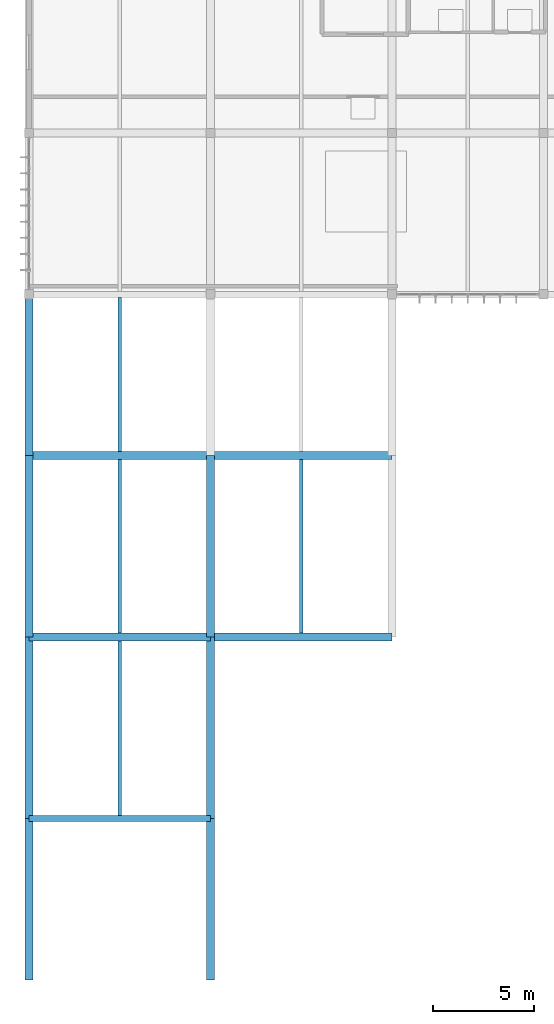
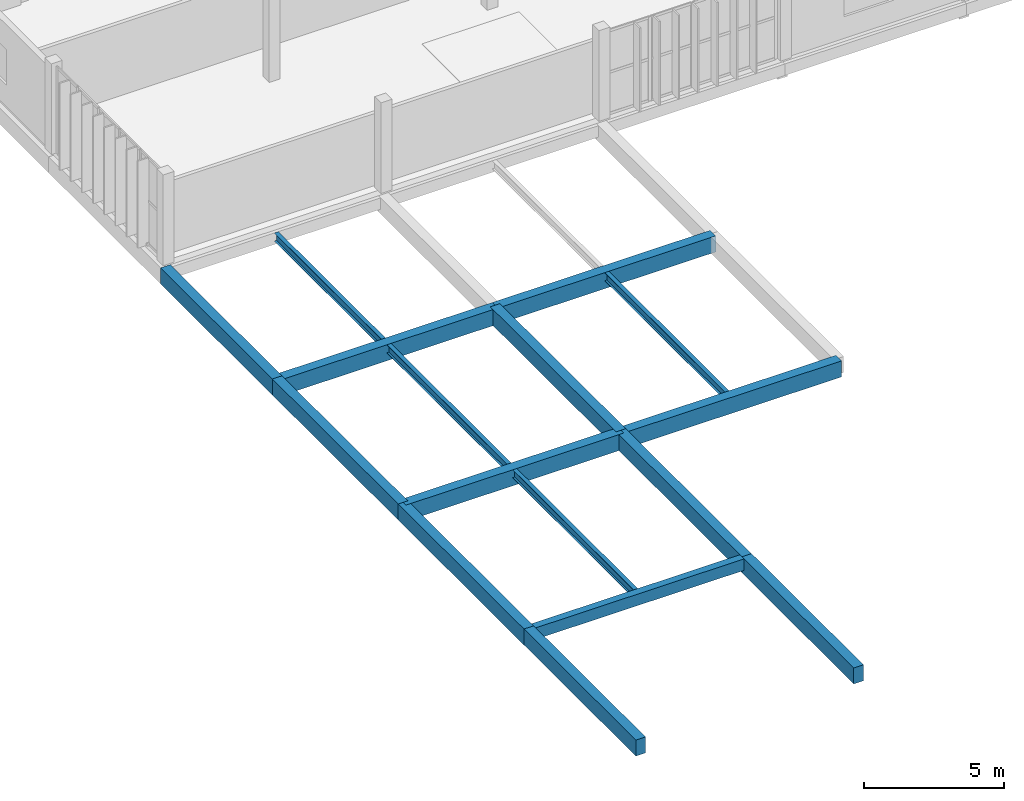
# One storey, part 5 of 26: 16 beams.
"""IFC4 building model written with IfcOpenShell, lengths in metres."""

from ifc_helpers import new_model, si_unit, direction, frame, origin, origin_2d, place, context, subcontext, project, spatial, rectangle, i_section, extrude, material, material_profile, profile_set, type_object, element, save


model = new_model("IFC4")

# Units and contexts
model_context = context("Model", 3, precision=1e-05, world=origin(), true_north=direction((0.0, 1.0)))
body_context = subcontext(model_context, "Body", "Model", "MODEL_VIEW")
ifc_project = project(units=[si_unit("LENGTHUNIT", "METRE"), si_unit("AREAUNIT", "SQUARE_METRE"), si_unit("VOLUMEUNIT", "CUBIC_METRE"), si_unit("PLANEANGLEUNIT", "RADIAN"), si_unit("MASSUNIT", "GRAM", prefix="KILO")], contexts=[model_context])

# Site, building, storey
site_placement = place(None, origin())
site = spatial("IfcSite", under=ifc_project, at=site_placement, CompositionType="ELEMENT")
building_placement = place(site_placement, origin())
building = spatial("IfcBuilding", under=site, at=building_placement, Name="Vourika Railside Aquatics Centre", CompositionType="ELEMENT")
storey_placement = place(building_placement, frame((0.0, 0.0, 17.699951171875)))
storey = spatial("IfcBuildingStorey", under=building, at=storey_placement, Name="L04", CompositionType="ELEMENT", Elevation=17.699951171875)

# Beams
ifc_material_1 = material(Name="Concrete C35/45", Category="concrete")
ifc_material_profile_1 = material_profile(ifc_material_1, rectangle(XDim=0.39990234375, YDim=0.699951171875, at=origin_2d()), Name="RC 400x700")
ifc_profile_set_1 = profile_set([ifc_material_profile_1], Name="Concrete C35/45")
beam_type_1 = type_object("IfcBeamType", Name="BM-GIRD-400x700", PredefinedType="BEAM", material=ifc_profile_set_1)
for number, where, z_axis, x_axis, name in (
    (1, (18.0, 75.0, -0.58984375), (1.0, 0.0, 0.0), (0.0, 1.0, 0.0), "Floor Beam GX-L04-002"),
    (2, (27.0, 75.0, -0.58984375), (1.0, 0.0, 0.0), (0.0, 1.0, 0.0), "Floor Beam GX-L04-003"),
    (3, (18.0, 84.0, -0.58984375), (1.0, 0.0, 0.0), (0.0, 1.0, 0.0), "Floor Beam GX-L04-004"),
    (4, (27.0, 84.0, -0.58984375), (1.0, 0.0, 0.0), (0.0, 1.0, 0.0), "Floor Beam GX-L04-005"),
):
    element("IfcBeam", number, at=place(storey_placement, frame(where, z_axis=z_axis, x_axis=x_axis)), inside=storey, type_object=beam_type_1, Name=name, PredefinedType="BEAM", context=body_context, shape_type="SweptSolid", body=[
        extrude(rectangle(XDim=0.39990234375, YDim=0.699951171875, at=origin_2d()), origin(), (0.0, 0.0, 1.0), 9.0),
    ])
beam_1_placement = place(storey_placement, frame((18.0, 58.0, -0.58984375), z_axis=(0.0, 1.0, 0.0), x_axis=(-1.0, 0.0, 0.0)))
element("IfcBeam", 5, at=beam_1_placement, inside=storey, type_object=beam_type_1, Name="Floor Girder GY-L04-054", PredefinedType="BEAM", context=body_context, shape_type="SweptSolid", body=[
    extrude(rectangle(XDim=0.39990234375, YDim=0.699951171875, at=origin_2d()), origin(), (0.0, 0.0, 1.0), 8.0),
])
for number, where, z_axis, x_axis, name in (
    (6, (18.0, 66.0, -0.58984375), (0.0, 1.0, 0.0), (-1.0, 0.0, 0.0), "Floor Girder GY-L04-055"),
    (7, (18.0, 75.0, -0.58984375), (0.0, 1.0, 0.0), (-1.0, 0.0, 0.0), "Floor Girder GY-L04-056"),
):
    element("IfcBeam", number, at=place(storey_placement, frame(where, z_axis=z_axis, x_axis=x_axis)), inside=storey, type_object=beam_type_1, Name=name, PredefinedType="BEAM", context=body_context, shape_type="SweptSolid", body=[
        extrude(rectangle(XDim=0.39990234375, YDim=0.699951171875, at=origin_2d()), origin(), (0.0, 0.0, 1.0), 9.0),
    ])
for number, where, z_axis, x_axis, name in (
    (8, (18.0, 84.0, -0.58984375), (0.0, 1.0, 0.0), (-1.0, 0.0, 0.0), "Floor Girder GY-L04-057"),
    (9, (27.0, 58.0, -0.58984375), (0.0, 1.0, 0.0), (-1.0, 0.0, 0.0), "Floor Girder GY-L04-061"),
):
    element("IfcBeam", number, at=place(storey_placement, frame(where, z_axis=z_axis, x_axis=x_axis)), inside=storey, type_object=beam_type_1, Name=name, PredefinedType="BEAM", context=body_context, shape_type="SweptSolid", body=[
        extrude(rectangle(XDim=0.39990234375, YDim=0.699951171875, at=origin_2d()), origin(), (0.0, 0.0, 1.0), 8.0),
    ])
for number, where, z_axis, x_axis, name in (
    (10, (27.0, 66.0, -0.58984375), (0.0, 1.0, 0.0), (-1.0, 0.0, 0.0), "Floor Girder GY-L04-062"),
    (11, (27.0, 75.0, -0.58984375), (0.0, 1.0, 0.0), (-1.0, 0.0, 0.0), "Floor Girder GY-L04-063"),
):
    element("IfcBeam", number, at=place(storey_placement, frame(where, z_axis=z_axis, x_axis=x_axis)), inside=storey, type_object=beam_type_1, Name=name, PredefinedType="BEAM", context=body_context, shape_type="SweptSolid", body=[
        extrude(rectangle(XDim=0.39990234375, YDim=0.699951171875, at=origin_2d()), origin(), (0.0, 0.0, 1.0), 9.0),
    ])
ifc_material_profile_2 = material_profile(ifc_material_1, rectangle(XDim=0.300048828125, YDim=0.5, at=origin_2d()), Name="RC 300x500")
ifc_profile_set_2 = profile_set([ifc_material_profile_2], Name="Concrete C35/45")
beam_type_2 = type_object("IfcBeamType", Name="BM-SPAN-300x500", PredefinedType="SPANDREL", material=ifc_profile_set_2)
beam_2_placement = place(storey_placement, frame((18.0, 66.0, -0.489990234375), z_axis=(1.0, 0.0, 0.0), x_axis=(0.0, 1.0, 0.0)))
element("IfcBeam", 12, at=beam_2_placement, inside=storey, type_object=beam_type_2, Name="Floor Beam GX-L04-001", PredefinedType="SPANDREL", context=body_context, shape_type="SweptSolid", body=[
    extrude(rectangle(XDim=0.300048828125, YDim=0.5, at=origin_2d()), origin(), (0.0, 0.0, 1.0), 9.0),
])
ifc_material_2 = material(Name="Steel S355J2", Category="steel")
ifc_material_profile_3 = material_profile(ifc_material_2, i_section(OverallWidth=0.169921875, OverallDepth=0.360107421875, WebThickness=0.008056640625, FlangeThickness=0.0126953125, at=origin_2d()), Name="IPE 360")
ifc_profile_set_3 = profile_set([ifc_material_profile_3], Name="Steel S355J2")
beam_type_3 = type_object("IfcBeamType", Name="BM-STL-IPE360", PredefinedType="JOIST", material=ifc_profile_set_3)
beam_3_placement = place(storey_placement, frame((22.5, 66.14990234375, -0.419921875), z_axis=(0.0, 1.0, 0.0), x_axis=(-1.0, 0.0, 0.0)))
element("IfcBeam", 13, at=beam_3_placement, inside=storey, type_object=beam_type_3, Name="Secondary Joist JY-L04-099", PredefinedType="JOIST", context=body_context, shape_type="SweptSolid", body=[
    extrude(i_section(OverallWidth=0.169921875, OverallDepth=0.360107421875, WebThickness=0.008056640625, FlangeThickness=0.0126953125, at=origin_2d()), origin(), (0.0, 0.0, 1.0), 8.650146484375),
])
for number, where, z_axis, x_axis, name in (
    (14, (22.5, 75.199951171875, -0.419921875), (0.0, 1.0, 0.0), (-1.0, 0.0, 0.0), "Secondary Joist JY-L04-100"),
    (15, (31.5, 75.199951171875, -0.419921875), (0.0, 1.0, 0.0), (-1.0, 0.0, 0.0), "Secondary Joist JY-L04-101"),
):
    element("IfcBeam", number, at=place(storey_placement, frame(where, z_axis=z_axis, x_axis=x_axis)), inside=storey, type_object=beam_type_3, Name=name, PredefinedType="JOIST", context=body_context, shape_type="SweptSolid", body=[
        extrude(i_section(OverallWidth=0.169921875, OverallDepth=0.360107421875, WebThickness=0.008056640625, FlangeThickness=0.0126953125, at=origin_2d()), origin(), (0.0, 0.0, 1.0), 8.60009765625),
    ])
beam_4_placement = place(storey_placement, frame((22.5, 84.199951171875, -0.419921875), z_axis=(0.0, 1.0, 0.0), x_axis=(-1.0, 0.0, 0.0)))
element("IfcBeam", 16, at=beam_4_placement, inside=storey, type_object=beam_type_3, Name="Secondary Joist JY-L04-102", PredefinedType="JOIST", context=body_context, shape_type="SweptSolid", body=[
    extrude(i_section(OverallWidth=0.169921875, OverallDepth=0.360107421875, WebThickness=0.008056640625, FlangeThickness=0.0126953125, at=origin_2d()), origin(), (0.0, 0.0, 1.0), 7.650146484375),
])

save(model, "model.ifc")
